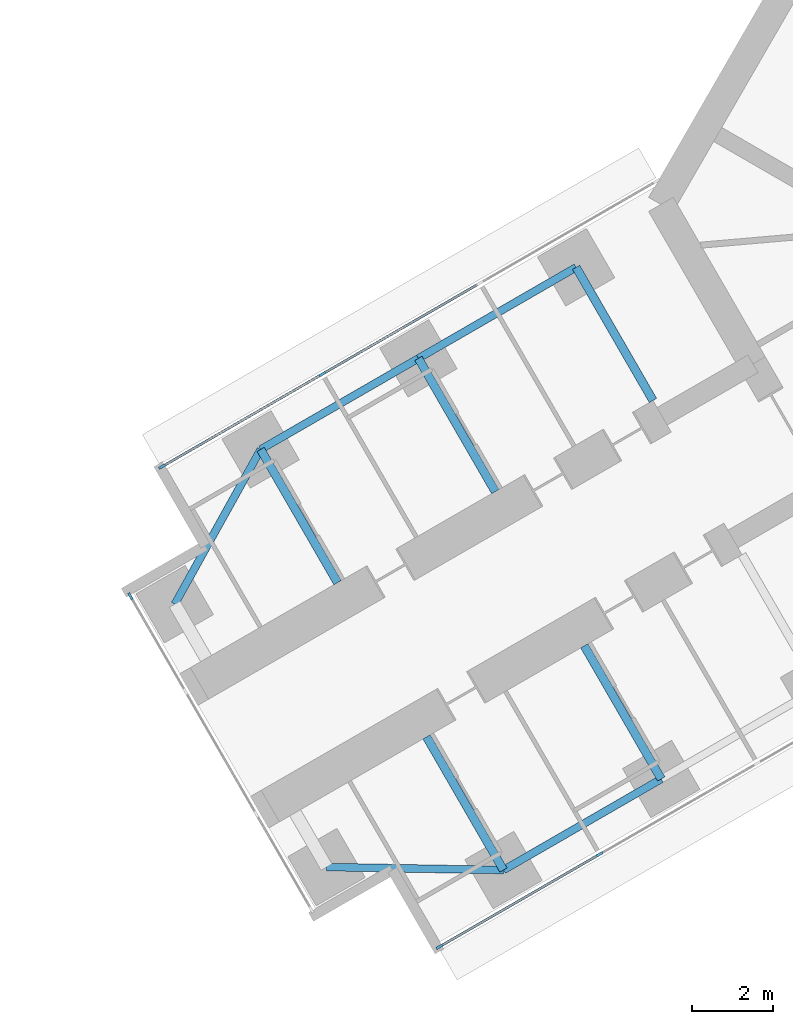
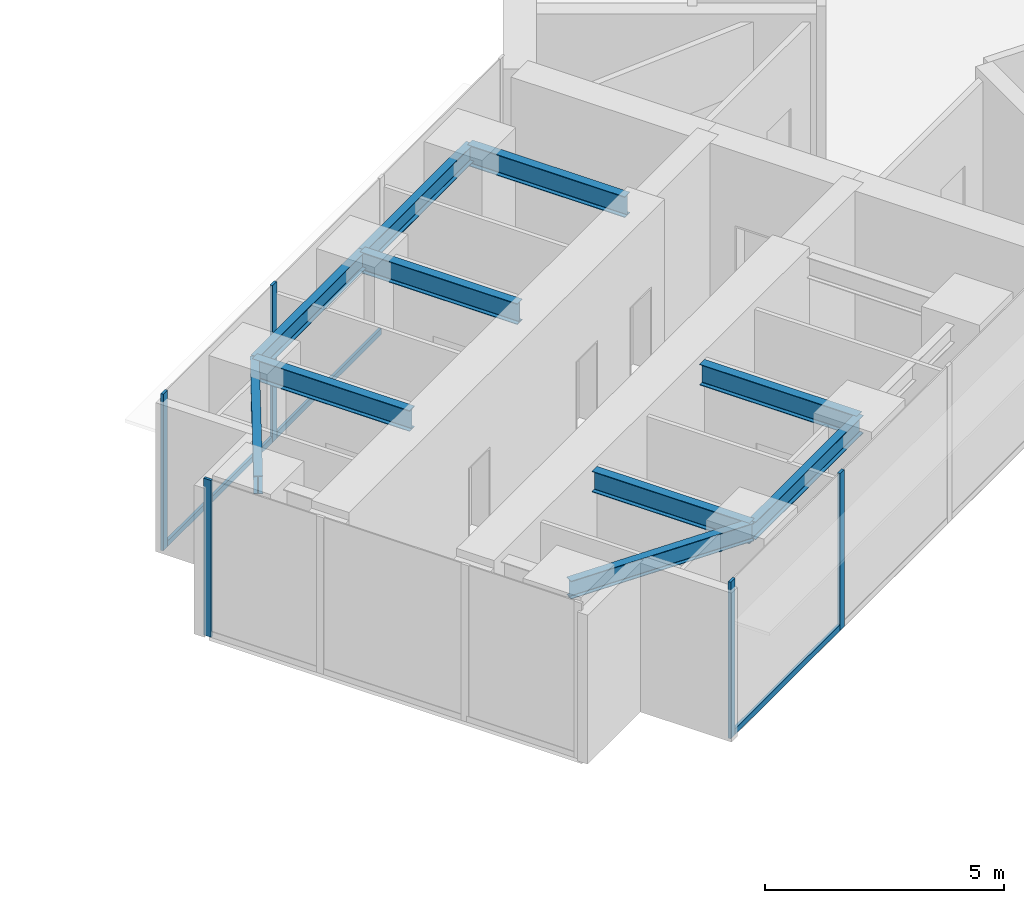
# One storey, part 4 of 25: 10 beams, 8 members, 3 elements without a shape of their own.
"""IFC4 building model written with IfcOpenShell, lengths in metres."""

from ifc_helpers import new_model, si_unit, direction, frame, origin, origin_2d, place, context, subcontext, project, spatial, rectangle, i_section, extrude, material, material_profile, profile_set, type_object, element, aggregate, save


model = new_model("IFC4")

# Units and contexts
model_context = context("Model", 3, precision=1e-05, world=origin(), true_north=direction((0.0, 1.0)))
body_context = subcontext(model_context, "Body", "Model", "MODEL_VIEW")
ifc_project = project(units=[si_unit("LENGTHUNIT", "METRE"), si_unit("AREAUNIT", "SQUARE_METRE"), si_unit("VOLUMEUNIT", "CUBIC_METRE"), si_unit("PLANEANGLEUNIT", "RADIAN"), si_unit("MASSUNIT", "GRAM", prefix="KILO")], contexts=[model_context])

# Site, building, storey
site_placement = place(None, origin())
site = spatial("IfcSite", under=ifc_project, at=site_placement, CompositionType="ELEMENT")
building_placement = place(site_placement, origin())
building = spatial("IfcBuilding", under=site, at=building_placement, Name="Upepo Twin Towers", CompositionType="ELEMENT")
storey_placement = place(building_placement, frame((0.0, 0.0, 84.5)))
storey = spatial("IfcBuildingStorey", under=building, at=storey_placement, Name="L20", CompositionType="ELEMENT", Elevation=84.5)

# Beams
ifc_material_1 = material(Name="Steel S355", Category="steel")
ifc_material_profile_1 = material_profile(ifc_material_1, i_section(OverallWidth=0.1904296875, OverallDepth=0.45703125, WebThickness=0.009033203125, FlangeThickness=0.014404296875, FilletRadius=0.01025390625, at=origin_2d()), Name="UB 457x191x74")
ifc_profile_set_1 = profile_set([ifc_material_profile_1], Name="Steel S355")
beam_type_1 = type_object("IfcBeamType", Name="Beam UB 457x191x74", PredefinedType="BEAM", material=ifc_profile_set_1)
beam_1_placement = place(storey_placement, frame((45.91162109375, -32.196044921875, 3.571533203125), z_axis=(-0.866031096941, -0.499990139034, 0.0), x_axis=(0.499990139034, -0.866031096941, 0.0)))
element("IfcBeam", 1, at=beam_1_placement, inside=storey, type_object=beam_type_1, Name="T2 edge beam BL 18.0-22.5", PredefinedType="BEAM", context=body_context, shape_type="SweptSolid", body=[
    extrude(i_section(OverallWidth=0.1904296875, OverallDepth=0.45703125, WebThickness=0.009033203125, FlangeThickness=0.014404296875, FilletRadius=0.01025390625, at=origin_2d()), origin(), (0.0, 0.0, 1.0), 4.5),
])
beam_2_placement = place(storey_placement, frame((42.014404296875, -34.446044921875, 3.571533203125), z_axis=(-0.999858804832, 0.016803880528, 0.0), x_axis=(-0.016803880528, -0.999858804832, 0.0)))
element("IfcBeam", 2, at=beam_2_placement, inside=storey, type_object=beam_type_1, Name="T2 nose edge beam BL", PredefinedType="BEAM", context=body_context, shape_type="SweptSolid", body=[
    extrude(i_section(OverallWidth=0.1904296875, OverallDepth=0.45703125, WebThickness=0.009033203125, FlangeThickness=0.014404296875, FilletRadius=0.01025390625, at=origin_2d()), origin(), (0.0, 0.0, 1.0), 4.373291015625),
])
beam_3_placement = place(storey_placement, frame((43.80859375, -19.553955078125, 3.571533203125), z_axis=(-0.866017533419, -0.500013631625, 0.0), x_axis=(0.500013631625, -0.866017533419, 0.0)))
element("IfcBeam", 3, at=beam_3_placement, inside=storey, type_object=beam_type_1, Name="T2 edge beam BR 13.5-18.0", PredefinedType="BEAM", context=body_context, shape_type="SweptSolid", body=[
    extrude(i_section(OverallWidth=0.1904296875, OverallDepth=0.45703125, WebThickness=0.009033203125, FlangeThickness=0.014404296875, FilletRadius=0.01025390625, at=origin_2d()), origin(), (0.0, 0.0, 1.0), 4.499755859375),
])
beam_4_placement = place(storey_placement, frame((39.91162109375, -21.803955078125, 3.571533203125), z_axis=(-0.866031096941, -0.499990139034, 0.0), x_axis=(0.499990139034, -0.866031096941, 0.0)))
element("IfcBeam", 4, at=beam_4_placement, inside=storey, type_object=beam_type_1, Name="T2 edge beam BR 18.0-22.5", PredefinedType="BEAM", context=body_context, shape_type="SweptSolid", body=[
    extrude(i_section(OverallWidth=0.1904296875, OverallDepth=0.45703125, WebThickness=0.009033203125, FlangeThickness=0.014404296875, FilletRadius=0.01025390625, at=origin_2d()), origin(), (0.0, 0.0, 1.0), 4.5),
])
beam_5_placement = place(storey_placement, frame((36.014404296875, -24.053955078125, 3.571533203125), z_axis=(-0.485363242752, -0.874312600038, 0.0), x_axis=(0.874312600038, -0.485363242752, 0.0)))
element("IfcBeam", 5, at=beam_5_placement, inside=storey, type_object=beam_type_1, Name="T2 nose edge beam BR", PredefinedType="BEAM", context=body_context, shape_type="SweptSolid", body=[
    extrude(i_section(OverallWidth=0.1904296875, OverallDepth=0.45703125, WebThickness=0.009033203125, FlangeThickness=0.014404296875, FilletRadius=0.01025390625, at=origin_2d()), origin(), (0.0, 0.0, 1.0), 4.373046875),
])
ifc_material_2 = material(Name="Steel S355", Category="steel")
ifc_material_profile_2 = material_profile(ifc_material_2, i_section(OverallWidth=0.209228515625, OverallDepth=0.533203125, WebThickness=0.010009765625, FlangeThickness=0.015625, FilletRadius=0.0126953125, at=origin_2d()), Name="UB 533x210x92")
ifc_profile_set_2 = profile_set([ifc_material_profile_2], Name="Steel S355")
beam_type_2 = type_object("IfcBeamType", Name="Beam UB 533x210x92", PredefinedType="BEAM", material=ifc_profile_set_2)
beam_6_placement = place(storey_placement, frame((45.91162109375, -32.196044921875, 3.533447265625), z_axis=(-0.500043160704, 0.866000483506, 0.0), x_axis=(-0.866000483506, -0.500043160704, 0.0)))
element("IfcBeam", 6, at=beam_6_placement, inside=storey, type_object=beam_type_2, Name="T2 girder BL at 18.0", PredefinedType="BEAM", context=body_context, shape_type="SweptSolid", body=[
    extrude(i_section(OverallWidth=0.209228515625, OverallDepth=0.533203125, WebThickness=0.010009765625, FlangeThickness=0.015625, FilletRadius=0.0126953125, at=origin_2d()), origin(), (0.0, 0.0, 1.0), 3.800048828125),
])
beam_7_placement = place(storey_placement, frame((42.014404296875, -34.446044921875, 3.533447265625), z_axis=(-0.499994975061, 0.866028304915, 0.0), x_axis=(-0.866028304915, -0.499994975061, 0.0)))
element("IfcBeam", 7, at=beam_7_placement, inside=storey, type_object=beam_type_2, Name="T2 girder BL at 22.5", PredefinedType="BEAM", context=body_context, shape_type="SweptSolid", body=[
    extrude(i_section(OverallWidth=0.209228515625, OverallDepth=0.533203125, WebThickness=0.010009765625, FlangeThickness=0.015625, FilletRadius=0.0126953125, at=origin_2d()), origin(), (0.0, 0.0, 1.0), 3.7998046875),
])
beam_8_placement = place(storey_placement, frame((43.80859375, -19.553955078125, 3.533447265625), z_axis=(0.500043160704, -0.866000483506, 0.0), x_axis=(0.866000483506, 0.500043160704, 0.0)))
element("IfcBeam", 8, at=beam_8_placement, inside=storey, type_object=beam_type_2, Name="T2 girder BR at 13.5", PredefinedType="BEAM", context=body_context, shape_type="SweptSolid", body=[
    extrude(i_section(OverallWidth=0.209228515625, OverallDepth=0.533203125, WebThickness=0.010009765625, FlangeThickness=0.015625, FilletRadius=0.0126953125, at=origin_2d()), origin(), (0.0, 0.0, 1.0), 3.800048828125),
])
for number, where, z_axis, x_axis, name in (
    (9, (39.91162109375, -21.803955078125, 3.533447265625), (0.499994975061, -0.866028304915, 0.0), (0.866028304915, 0.499994975061, 0.0), "T2 girder BR at 18.0"),
    (10, (36.014404296875, -24.053955078125, 3.533447265625), (0.499994975061, -0.866028304915, 0.0), (0.866028304915, 0.499994975061, 0.0), "T2 girder BR at 22.5"),
):
    element("IfcBeam", number, at=place(storey_placement, frame(where, z_axis=z_axis, x_axis=x_axis)), inside=storey, type_object=beam_type_2, Name=name, PredefinedType="BEAM", context=body_context, shape_type="SweptSolid", body=[
        extrude(i_section(OverallWidth=0.209228515625, OverallDepth=0.533203125, WebThickness=0.010009765625, FlangeThickness=0.015625, FilletRadius=0.0126953125, at=origin_2d()), origin(), (0.0, 0.0, 1.0), 3.7998046875),
    ])

# Curtain wall, members
ifc_material_3 = material(Name="Aluminium and fritted glass", Category="aluminium")
curtain_wall_type = type_object("IfcCurtainWallType", Name="Tower curtain wall TW1, fritted glass", PredefinedType="NOTDEFINED", material=ifc_material_3)
curtain_wall_1_placement = place(storey_placement, origin())
curtain_wall_1 = element("IfcCurtainWall", 11, at=curtain_wall_1_placement, inside=storey, type_object=curtain_wall_type, Name="T2 L20 wing B flank L curtain wall", PredefinedType="NOTDEFINED")
ifc_material_4 = material(Name="Aluminium mullion", Category="aluminium")
ifc_material_profile_3 = material_profile(ifc_material_4, rectangle(XDim=0.06494140625, YDim=0.179931640625, at=origin_2d()), Name="MULLION 65x180")
ifc_profile_set_3 = profile_set([ifc_material_profile_3], Name="Aluminium mullion")
member_type_1 = type_object("IfcMemberType", Name="Mullion 65x180 TW1", PredefinedType="MULLION", material=ifc_profile_set_3)
member_1_placement = place(storey_placement, frame((44.387939453125, -34.057373046875, 0.0), z_axis=(0.0, 0.0, 1.0), x_axis=(0.500000024426, -0.866025389682, 0.0)))
member_1 = element("IfcMember", 12, at=member_1_placement, type_object=member_type_1, Name="T2 L20 wing B flank L curtain wall mullion 3", PredefinedType="MULLION", context=body_context, shape_type="SweptSolid", body=[
    extrude(rectangle(XDim=0.06494140625, YDim=0.179931640625, at=origin_2d()), origin(), (0.0, 0.0, 1.0), 4.0),
])
member_2_placement = place(storey_placement, frame((40.432373046875, -36.341064453125, 0.0), z_axis=(0.0, 0.0, 1.0), x_axis=(0.500000024426, -0.866025389682, 0.0)))
member_2 = element("IfcMember", 13, at=member_2_placement, type_object=member_type_1, Name="T2 L20 wing B flank L curtain wall mullion 4", PredefinedType="MULLION", context=body_context, shape_type="SweptSolid", body=[
    extrude(rectangle(XDim=0.06494140625, YDim=0.179931640625, at=origin_2d()), origin(), (0.0, 0.0, 1.0), 4.0),
])

curtain_wall_2_placement = place(storey_placement, origin())
curtain_wall_2 = element("IfcCurtainWall", 14, at=curtain_wall_2_placement, inside=storey, type_object=curtain_wall_type, Name="T2 L20 wing B flank R curtain wall", PredefinedType="NOTDEFINED")
member_3_placement = place(storey_placement, frame((33.58251953125, -24.4765625, 0.0), z_axis=(0.0, 0.0, 1.0), x_axis=(-0.500000024426, 0.866025389682, 0.0)))
member_3 = element("IfcMember", 15, at=member_3_placement, type_object=member_type_1, Name="T2 L20 wing B flank R curtain wall mullion 1", PredefinedType="MULLION", context=body_context, shape_type="SweptSolid", body=[
    extrude(rectangle(XDim=0.06494140625, YDim=0.179931640625, at=origin_2d()), origin(), (0.0, 0.0, 1.0), 4.0),
])
member_4_placement = place(storey_placement, frame((37.5380859375, -22.192626953125, 0.0), z_axis=(0.0, 0.0, 1.0), x_axis=(-0.500000024426, 0.866025389682, 0.0)))
member_4 = element("IfcMember", 16, at=member_4_placement, type_object=member_type_1, Name="T2 L20 wing B flank R curtain wall mullion 2", PredefinedType="MULLION", context=body_context, shape_type="SweptSolid", body=[
    extrude(rectangle(XDim=0.06494140625, YDim=0.179931640625, at=origin_2d()), origin(), (0.0, 0.0, 1.0), 4.0),
])

# Curtain wall, member
curtain_wall_3_placement = place(storey_placement, origin())
curtain_wall_3 = element("IfcCurtainWall", 17, at=curtain_wall_3_placement, inside=storey, type_object=curtain_wall_type, Name="T2 L20 wing B nose curtain wall", PredefinedType="NOTDEFINED")
member_5_placement = place(storey_placement, frame((32.796875, -27.68115234375, 0.0), z_axis=(0.0, 0.0, 1.0), x_axis=(0.866025386174, 0.500000030502, 0.0)))
member_5 = element("IfcMember", 18, at=member_5_placement, type_object=member_type_1, Name="T2 L20 wing B nose curtain wall mullion 1", PredefinedType="MULLION", context=body_context, shape_type="SweptSolid", body=[
    extrude(rectangle(XDim=0.06494140625, YDim=0.179931640625, at=origin_2d()), origin(), (0.0, 0.0, 1.0), 4.0),
])
aggregate(curtain_wall_3, [member_5])

# Member
ifc_material_5 = material(Name="Aluminium transom", Category="aluminium")
ifc_material_profile_4 = material_profile(ifc_material_5, rectangle(XDim=0.06494140625, YDim=0.14990234375, at=origin_2d()), Name="TRANSOM 65x150")
ifc_profile_set_4 = profile_set([ifc_material_profile_4], Name="Aluminium transom")
member_type_2 = type_object("IfcMemberType", Name="Transom 65x150 TW1", PredefinedType="USERDEFINED", material=ifc_profile_set_4)
member_6_placement = place(storey_placement, frame((44.35986328125, -34.073486328125, 0.074951171875), z_axis=(-0.866035699072, -0.499982167615, 0.0), x_axis=(0.499982167615, -0.866035699072, 0.0)))
member_6 = element("IfcMember", 19, at=member_6_placement, type_object=member_type_2, Name="T2 L20 wing B flank L curtain wall transom 3", ObjectType="TRANSOM", PredefinedType="USERDEFINED", context=body_context, shape_type="SweptSolid", body=[
    extrude(rectangle(XDim=0.06494140625, YDim=0.14990234375, at=origin_2d()), origin(), (0.0, 0.0, 1.0), 4.502685546875),
])

aggregate(curtain_wall_1, [member_1, member_2, member_6])

member_7_placement = place(storey_placement, frame((33.610595703125, -24.460205078125, 0.074951171875), z_axis=(0.866022143554, 0.500005646842, 0.0), x_axis=(-0.500005646842, 0.866022143554, 0.0)))
member_7 = element("IfcMember", 20, at=member_7_placement, type_object=member_type_2, Name="T2 L20 wing B flank R curtain wall transom 1", ObjectType="TRANSOM", PredefinedType="USERDEFINED", context=body_context, shape_type="SweptSolid", body=[
    extrude(rectangle(XDim=0.06494140625, YDim=0.14990234375, at=origin_2d()), origin(), (0.0, 0.0, 1.0), 4.50244140625),
])

member_8_placement = place(storey_placement, frame((37.566162109375, -22.176513671875, 0.074951171875), z_axis=(0.866022410713, 0.500005184116, 0.0), x_axis=(-0.500005184116, 0.866022410713, 0.0)))
member_8 = element("IfcMember", 21, at=member_8_placement, type_object=member_type_2, Name="T2 L20 wing B flank R curtain wall transom 2", ObjectType="TRANSOM", PredefinedType="USERDEFINED", context=body_context, shape_type="SweptSolid", body=[
    extrude(rectangle(XDim=0.06494140625, YDim=0.14990234375, at=origin_2d()), origin(), (0.0, 0.0, 1.0), 4.43505859375),
])

aggregate(curtain_wall_2, [member_3, member_4, member_7, member_8])

save(model, "model.ifc")
